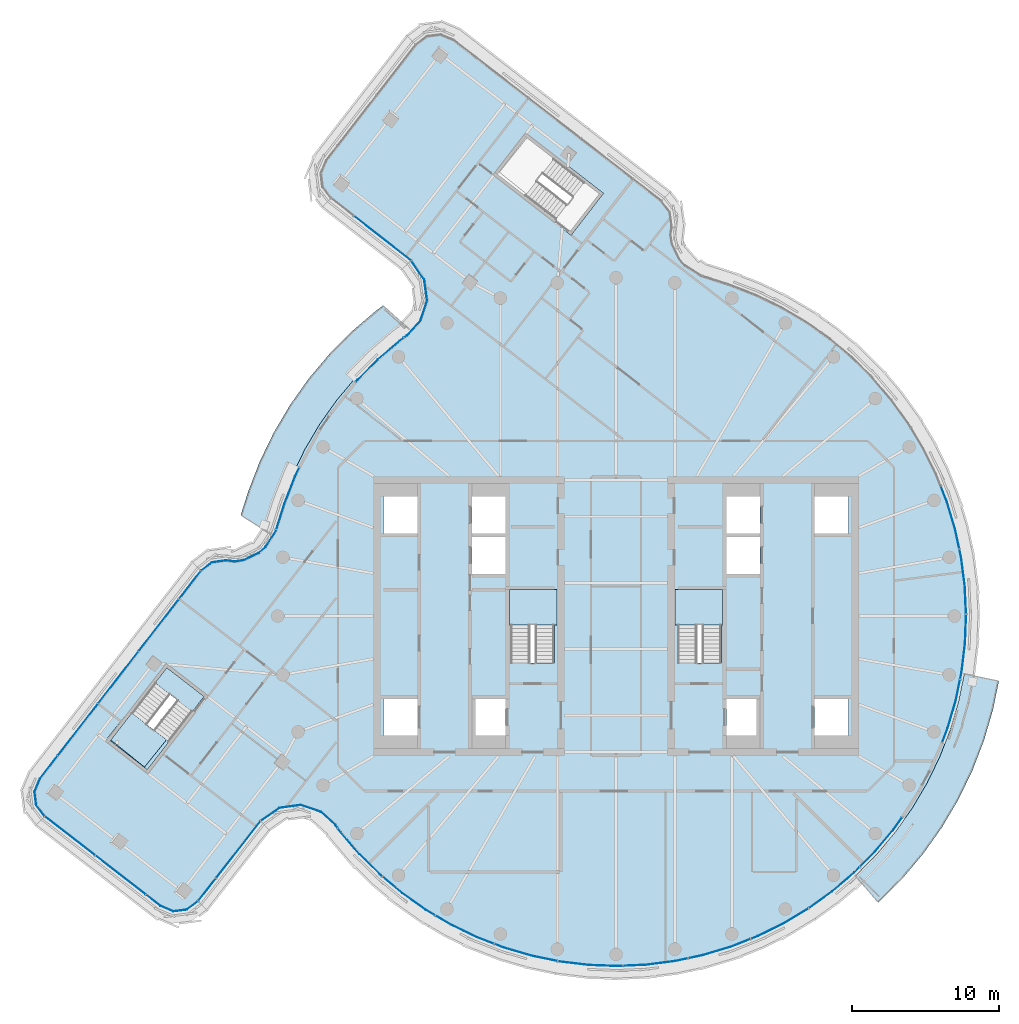
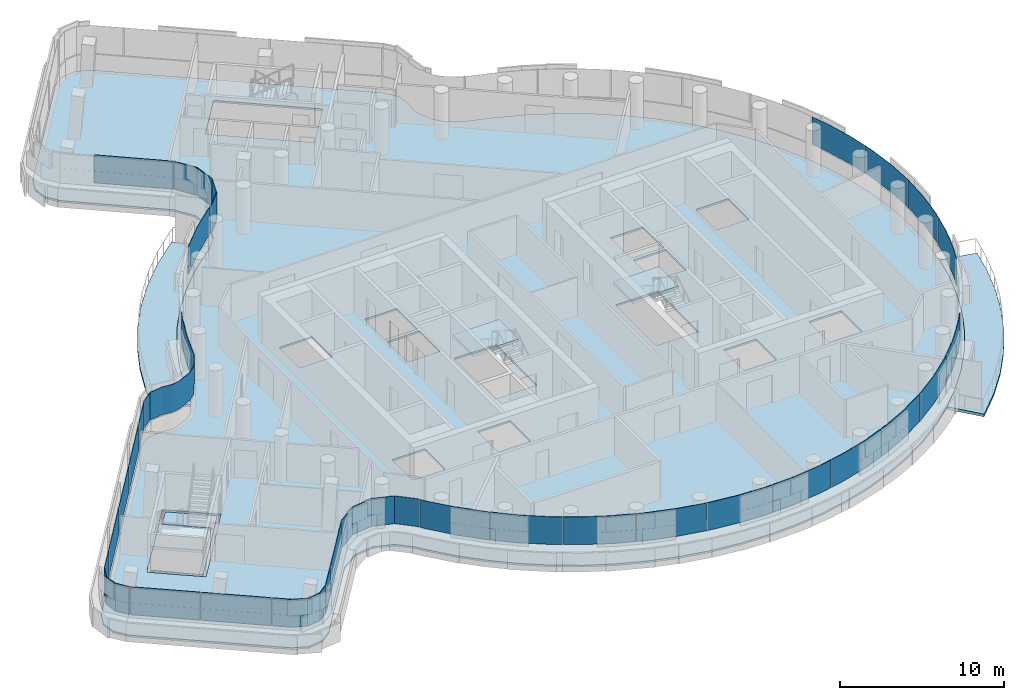
# One storey, part 15 of 26: 30 plates, 7 slabs, 9 elements without a shape of their own.
"""IFC4 building model written with IfcOpenShell, lengths in metres."""

from ifc_helpers import new_model, si_unit, direction, frame, origin, place, context, subcontext, project, spatial, polyline, outline, extrude, material, layer, layer_set, type_object, element, aggregate, save


model = new_model("IFC4")

# Units and contexts
model_context = context("Model", 3, precision=1e-05, world=origin(), true_north=direction((0.0, 1.0)))
body_context = subcontext(model_context, "Body", "Model", "MODEL_VIEW")
ifc_project = project(units=[si_unit("LENGTHUNIT", "METRE"), si_unit("AREAUNIT", "SQUARE_METRE"), si_unit("VOLUMEUNIT", "CUBIC_METRE"), si_unit("PLANEANGLEUNIT", "RADIAN"), si_unit("MASSUNIT", "GRAM", prefix="KILO")], contexts=[model_context])

# Site, building, storey
site_placement = place(None, origin())
site = spatial("IfcSite", under=ifc_project, at=site_placement, CompositionType="ELEMENT")
building_placement = place(site_placement, origin())
building = spatial("IfcBuilding", under=site, at=building_placement, Name="Tamarind Cross Interchange Tower", CompositionType="ELEMENT")
storey_placement = place(building_placement, frame((0.0, 0.0, 223.5)))
storey = spatial("IfcBuildingStorey", under=building, at=storey_placement, Name="L56", CompositionType="ELEMENT", Elevation=223.5)

# Slabs
ifc_material_1 = material(Name="Precast concrete C40", Category="concrete")
ifc_layer_1 = layer(ifc_material_1, 0.199951171875)
ifc_layer_set_1 = layer_set([ifc_layer_1], Name="Precast concrete C40")
slab_type_1 = type_object("IfcSlabType", Name="Balcony slab", PredefinedType="BASESLAB", material=ifc_layer_set_1)
slab_1_placement = place(storey_placement, frame((0.0, 0.0, -0.199951171875)))
element("IfcSlab", 1, at=slab_1_placement, inside=storey, type_object=slab_type_1, Name="SLB-L56-BAL02", PredefinedType="BASESLAB", context=body_context, shape_type="SweptSolid", body=[
    extrude(outline(polyline([(16.260986328125, -17.641357421875), (16.327880859375, -17.584228515625), (17.72412109375, -16.17578125), (18.99951171875, -14.656982421875), (20.14501953125, -13.0380859375), (21.15283203125, -11.329833984375), (22.01611328125, -9.54443359375), (22.72900390625, -7.69384765625), (23.286865234375, -5.79052734375), (23.666015625, -3.9423828125), (26.01708984375, -4.4248046875), (25.617919921875, -6.3701171875), (25.00439453125, -8.4638671875), (24.219970703125, -10.499755859375), (23.270263671875, -12.464111328125), (22.161376953125, -14.343017578125), (20.9013671875, -16.124267578125), (19.498291015625, -17.795166015625), (17.96240234375, -19.344482421875), (17.820068359375, -19.466064453125), (16.260986328125, -17.641357421875)])), origin(), (0.0, 0.0, 1.0), 0.199951171875),
])
slab_2_placement = place(storey_placement, frame((0.0, 0.0, -0.199951171875)))
element("IfcSlab", 2, at=slab_2_placement, inside=storey, type_object=slab_type_1, Name="SLB-L56-BAL06", PredefinedType="BASESLAB", context=body_context, shape_type="SweptSolid", body=[
    extrude(outline(polyline([(-14.079345703125, 19.51171875), (-14.33984375, 19.225830078125), (-14.820068359375, 18.87255859375), (-16.327880859375, 17.584228515625), (-17.72412109375, 16.17578125), (-18.99951171875, 14.656982421875), (-20.14501953125, 13.0380859375), (-21.15283203125, 11.329833984375), (-22.01611328125, 9.54443359375), (-22.72900390625, 7.69384765625), (-23.3154296875, 5.859619140625), (-23.492431640625, 5.583251953125), (-25.51416015625, 6.87646484375), (-25.506103515625, 6.88916015625), (-24.993896484375, 8.4912109375), (-24.219970703125, 10.499755859375), (-23.270263671875, 12.464111328125), (-22.161376953125, 14.343017578125), (-20.9013671875, 16.124267578125), (-19.498291015625, 17.795166015625), (-17.96240234375, 19.344482421875), (-16.312744140625, 20.75390625), (-15.95361328125, 21.01806640625), (-15.852783203125, 21.128662109375), (-14.079345703125, 19.51171875)])), origin(), (0.0, 0.0, 1.0), 0.199951171875),
])
ifc_material_2 = material(Name="Concrete C35", Category="concrete")
ifc_layer_2 = layer(ifc_material_2, 0.139892578125)
ifc_layer_set_2 = layer_set([ifc_layer_2], Name="Concrete C35")
slab_type_2 = type_object("IfcSlabType", Name="Composite slab 140 Concrete C35", PredefinedType="FLOOR", material=ifc_layer_set_2)
slab_3_placement = place(storey_placement, frame((0.0, 0.0, -0.139892578125)))
element("IfcSlab", 3, at=slab_3_placement, inside=storey, type_object=slab_type_2, Name="Floor slab L56", PredefinedType="FLOOR", context=body_context, shape_type="SweptSolid", body=[
    extrude(outline(polyline([(-27.552978515625, 3.839111328125), (-28.360595703125, 3.219482421875), (-39.334228515625, -10.9482421875), (-39.73486328125, -11.90283203125), (-39.6044921875, -12.929931640625), (-38.977783203125, -13.754150390625), (-31.072021484375, -19.877685546875), (-30.117431640625, -20.2783203125), (-29.09033203125, -20.147705078125), (-28.26611328125, -19.521240234375), (-24.01611328125, -14.078125), (-22.80078125, -13.232421875), (-21.4501953125, -13.04736328125), (-20.159912109375, -13.48828125), (-19.225830078125, -14.33984375), (-18.87255859375, -14.820068359375), (-17.584228515625, -16.327880859375), (-16.17578125, -17.72412109375), (-14.656982421875, -18.99951171875), (-13.0380859375, -20.14501953125), (-11.329833984375, -21.15283203125), (-9.54443359375, -22.01611328125), (-7.693603515625, -22.72900390625), (-5.79052734375, -23.286865234375), (-3.84765625, -23.685546875), (-1.878662109375, -23.92236328125), (0.103271484375, -23.99560546875), (2.08447265625, -23.9052734375), (4.051513671875, -23.651611328125), (5.99072265625, -23.236083984375), (7.88916015625, -22.662109375), (9.7333984375, -21.93310546875), (11.511474609375, -21.054443359375), (13.2109375, -20.031982421875), (14.820068359375, -18.87255859375), (16.327880859375, -17.584228515625), (17.72412109375, -16.17578125), (18.99951171875, -14.656982421875), (20.14501953125, -13.0380859375), (21.15283203125, -11.329833984375), (22.01611328125, -9.54443359375), (22.72900390625, -7.693603515625), (23.286865234375, -5.79052734375), (23.685546875, -3.84765625), (23.92236328125, -1.878662109375), (23.99560546875, 0.103271484375), (23.9052734375, 2.08447265625), (23.651611328125, 4.051513671875), (23.236083984375, 5.99072265625), (22.662109375, 7.88916015625), (21.93310546875, 9.7333984375), (21.054443359375, 11.511474609375), (20.031982421875, 13.2109375), (18.87255859375, 14.820068359375), (17.584228515625, 16.327880859375), (16.17578125, 17.72412109375), (14.656982421875, 18.99951171875), (13.0380859375, 20.14501953125), (11.329833984375, 21.15283203125), (9.54443359375, 22.01611328125), (7.693603515625, 22.72900390625), (5.859619140625, 23.3154296875), (4.819091796875, 23.981201171875), (4.46142578125, 24.387451171875), (3.99365234375, 25.3759765625), (3.906005859375, 25.91015625), (3.981201171875, 26.544921875), (3.839111328125, 27.552978515625), (3.219482421875, 28.360595703125), (-10.9482421875, 39.334228515625), (-11.90283203125, 39.73486328125), (-12.929931640625, 39.6044921875), (-13.754150390625, 38.977783203125), (-19.877685546875, 31.072021484375), (-20.2783203125, 30.117431640625), (-20.147705078125, 29.09033203125), (-19.521240234375, 28.26611328125), (-14.078125, 24.01611328125), (-13.232421875, 22.80078125), (-13.04736328125, 21.4501953125), (-13.48828125, 20.159912109375), (-14.33984375, 19.225830078125), (-14.820068359375, 18.87255859375), (-16.327880859375, 17.584228515625), (-17.72412109375, 16.17578125), (-18.99951171875, 14.656982421875), (-20.14501953125, 13.0380859375), (-21.15283203125, 11.329833984375), (-22.01611328125, 9.54443359375), (-22.72900390625, 7.693603515625), (-23.3154296875, 5.859619140625), (-23.981201171875, 4.819091796875), (-24.387451171875, 4.46142578125), (-25.3759765625, 3.99365234375), (-25.91015625, 3.906005859375), (-26.544921875, 3.981201171875), (-27.552978515625, 3.839111328125)]), holes=[polyline([(-31.827880859375, -10.728515625), (-31.986083984375, -10.606201171875), (-34.515869140625, -8.646484375), (-34.673828125, -8.524169921875), (-34.499267578125, -8.298583984375), (-34.546142578125, -8.260986328125), (-32.484619140625, -5.697509765625), (-30.5712890625, -3.227294921875), (-30.4130859375, -3.349609375), (-27.88330078125, -5.30908203125), (-27.72509765625, -5.431640625), (-31.827880859375, -10.728515625)]), polyline([(-13.5, -8.125), (-15.800048828125, -8.125), (-15.800048828125, -5.625), (-13.5, -5.625), (-13.5, -8.125)]), polyline([(-7.5, -8.125), (-9.800048828125, -8.125), (-9.800048828125, -5.625), (-7.5, -5.625), (-7.5, -8.125)]), polyline([(-7.5, 2.875), (-9.800048828125, 2.875), (-9.800048828125, 5.375), (-7.5, 5.375), (-7.5, 2.875)]), polyline([(-13.5, 8.125), (-13.5, 5.625), (-15.800048828125, 5.625), (-15.800048828125, 8.125), (-13.5, 8.125)]), polyline([(-7.5, 5.625), (-9.800048828125, 5.625), (-9.800048828125, 8.125), (-7.5, 8.125), (-7.5, 5.625)]), polyline([(-3.06005859375, 25.887939453125), (-8.35693359375, 29.99072265625), (-8.234375, 30.14892578125), (-6.27490234375, 32.6787109375), (-6.15234375, 32.8369140625), (-5.926513671875, 32.662109375), (-5.923095703125, 32.666015625), (-5.697509765625, 32.484619140625), (-0.85546875, 28.734130859375), (-0.97802734375, 28.575927734375), (-2.9375, 26.046142578125), (-3.06005859375, 25.887939453125)]), polyline([(7.5, -8.125), (7.5, -5.625), (9.800048828125, -5.625), (9.800048828125, -8.125), (7.5, -8.125)]), polyline([(13.5, -8.125), (13.5, -5.625), (15.800048828125, -5.625), (15.800048828125, -8.125), (13.5, -8.125)]), polyline([(-7.14990234375, 1.800048828125), (-4.199951171875, 1.800048828125), (-4.199951171875, -3.18798828125), (-7.14990234375, -3.18798828125), (-7.14990234375, 1.800048828125)]), polyline([(7.14990234375, 1.800048828125), (7.14990234375, -3.18798828125), (4.199951171875, -3.18798828125), (4.199951171875, 1.800048828125), (7.14990234375, 1.800048828125)]), polyline([(7.5, 5.375), (9.800048828125, 5.375), (9.800048828125, 2.875), (7.5, 2.875), (7.5, 5.375)]), polyline([(7.5, 5.625), (7.5, 8.125), (9.800048828125, 8.125), (9.800048828125, 5.625), (7.5, 5.625)]), polyline([(13.5, 8.125), (15.800048828125, 8.125), (15.800048828125, 5.625), (13.5, 5.625), (13.5, 8.125)])]), origin(), (0.0, 0.0, 1.0), 0.139892578125),
])
slab_4_placement = place(storey_placement, frame((0.0, 0.0, -0.139892578125)))
element("IfcSlab", 4, at=slab_4_placement, inside=storey, type_object=slab_type_2, Name="Floor slab L56", PredefinedType="FLOOR", context=body_context, shape_type="SweptSolid", body=[
    extrude(outline(polyline([(-28.005615234375, -5.46728515625), (-30.535400390625, -3.5078125), (-31.3388671875, -4.545166015625), (-28.943603515625, -6.400390625), (-32.052490234375, -10.266357421875), (-34.343505859375, -8.424072265625), (-34.393310546875, -8.488525390625), (-31.863525390625, -10.447998046875), (-28.005615234375, -5.46728515625)])), origin(), (0.0, 0.0, 1.0), 0.139892578125),
])

# Stair, slab
ifc_material_3 = material(Name="Exit stair")
stair_type = type_object("IfcStairType", Name="Exit stair", PredefinedType="HALF_TURN_STAIR", material=ifc_material_3)
stair_1_placement = place(storey_placement, origin())
stair_1 = element("IfcStair", 5, at=stair_1_placement, inside=storey, type_object=stair_type, Name="L56 exit stair ST1", PredefinedType="HALF_TURN_STAIR")
ifc_material_4 = material(Name="Concrete C40", Category="concrete")
ifc_layer_3 = layer(ifc_material_4, 0.199951171875)
ifc_layer_set_3 = layer_set([ifc_layer_3], Name="Concrete C40")
slab_type_3 = type_object("IfcSlabType", Name="Stair landing", PredefinedType="LANDING", material=ifc_layer_set_3)
slab_5_placement = place(storey_placement, frame((0.0, 0.0, 1.60009765625)))
slab_5 = element("IfcSlab", 6, at=slab_5_placement, type_object=slab_type_3, Name="ST1 landing 1", PredefinedType="LANDING", context=body_context, shape_type="SweptSolid", body=[
    extrude(outline(polyline([(-4.0, -0.60009765625), (-4.0, 1.800048828125), (-7.25, 1.800048828125), (-7.25, -0.60009765625), (-4.0, -0.60009765625)])), origin(), (0.0, 0.0, 1.0), 0.199951171875),
])
aggregate(stair_1, [slab_5])

stair_2_placement = place(storey_placement, origin())
stair_2 = element("IfcStair", 7, at=stair_2_placement, inside=storey, type_object=stair_type, Name="L56 exit stair ST2", PredefinedType="HALF_TURN_STAIR")
slab_6_placement = place(storey_placement, frame((0.0, 0.0, 1.60009765625)))
slab_6 = element("IfcSlab", 8, at=slab_6_placement, type_object=slab_type_3, Name="ST2 landing 1", PredefinedType="LANDING", context=body_context, shape_type="SweptSolid", body=[
    extrude(outline(polyline([(7.25, -0.60009765625), (7.25, 1.800048828125), (4.0, 1.800048828125), (4.0, -0.60009765625), (7.25, -0.60009765625)])), origin(), (0.0, 0.0, 1.0), 0.199951171875),
])
aggregate(stair_2, [slab_6])

stair_3_placement = place(storey_placement, origin())
stair_3 = element("IfcStair", 9, at=stair_3_placement, inside=storey, type_object=stair_type, Name="L56 exit stair ST5", PredefinedType="HALF_TURN_STAIR")
slab_7_placement = place(storey_placement, frame((0.0, 0.0, 1.60009765625)))
slab_7 = element("IfcSlab", 10, at=slab_7_placement, type_object=slab_type_3, Name="ST5 landing 1", PredefinedType="LANDING", context=body_context, shape_type="SweptSolid", body=[
    extrude(outline(polyline([(-32.916259765625, -6.58154296875), (-34.393310546875, -8.488525390625), (-31.863525390625, -10.447998046875), (-30.386474609375, -8.541259765625), (-32.916259765625, -6.58154296875)])), origin(), (0.0, 0.0, 1.0), 0.199951171875),
])
aggregate(stair_3, [slab_7])

# Curtain wall, plates
ifc_material_5 = material(Name="Aluminium 6063-T6", Category="aluminium")
ifc_layer_4 = layer(ifc_material_5, 0.139892578125)
ifc_layer_set_4 = layer_set([ifc_layer_4], Name="Aluminium 6063-T6")
curtain_wall_type = type_object("IfcCurtainWallType", Name="Hotel curtain wall, 4.5 m bays", PredefinedType="NOTDEFINED", material=ifc_layer_set_4)
curtain_wall_1_placement = place(storey_placement, origin())
curtain_wall_1 = element("IfcCurtainWall", 11, at=curtain_wall_1_placement, inside=storey, type_object=curtain_wall_type, Name="CWS-L56-00", PredefinedType="NOTDEFINED")
ifc_material_6 = material(Name="Laminated low-e glass 6+1.52+6", Category="glass")
ifc_layer_5 = layer(ifc_material_6, 0.02392578125)
ifc_layer_set_5 = layer_set([ifc_layer_5], Name="Laminated low-e glass 6+1.52+6")
plate_type = type_object("IfcPlateType", Name="Vision panel CW2", PredefinedType="CURTAIN_PANEL", material=ifc_layer_set_5)
plate_1_placement = place(storey_placement, frame((0.0, 0.0, 1.39990234375)))
plate_1 = element("IfcPlate", 12, at=plate_1_placement, type_object=plate_type, Name="CWP-L56-00-00", PredefinedType="CURTAIN_PANEL", context=body_context, shape_type="SweptSolid", body=[
    extrude(outline(polyline([(-38.803466796875, -13.62109375), (-35.415283203125, -16.245361328125), (-35.43017578125, -16.264404296875), (-38.818115234375, -13.639892578125), (-38.803466796875, -13.62109375)])), origin(), (0.0, 0.0, 1.0), 2.06005859375),
])
plate_2_placement = place(storey_placement, frame((0.0, 0.0, 1.39990234375)))
plate_2 = element("IfcPlate", 13, at=plate_2_placement, type_object=plate_type, Name="CWP-L56-00-01", PredefinedType="CURTAIN_PANEL", context=body_context, shape_type="SweptSolid", body=[
    extrude(outline(polyline([(-35.367919921875, -16.281982421875), (-31.979736328125, -18.906494140625), (-31.99462890625, -18.92529296875), (-35.382568359375, -16.301025390625), (-35.367919921875, -16.281982421875)])), origin(), (0.0, 0.0, 1.0), 2.06005859375),
])
plate_3_placement = place(storey_placement, frame((0.0, 0.0, 1.39990234375)))
plate_3 = element("IfcPlate", 14, at=plate_3_placement, type_object=plate_type, Name="CWP-L56-00-02", PredefinedType="CURTAIN_PANEL", context=body_context, shape_type="SweptSolid", body=[
    extrude(outline(polyline([(-31.932373046875, -18.943115234375), (-30.96435546875, -19.69287109375), (-30.087646484375, -20.060791015625), (-29.17333984375, -19.944580078125), (-28.43896484375, -19.38623046875), (-28.424560546875, -19.405517578125), (-29.1640625, -19.967529296875), (-30.091064453125, -20.08544921875), (-30.9765625, -19.7138671875), (-31.947021484375, -18.962158203125), (-31.932373046875, -18.943115234375)])), origin(), (0.0, 0.0, 1.0), 2.06005859375),
])
aggregate(curtain_wall_1, [plate_1, plate_2, plate_3])

curtain_wall_2_placement = place(storey_placement, origin())
curtain_wall_2 = element("IfcCurtainWall", 15, at=curtain_wall_2_placement, inside=storey, type_object=curtain_wall_type, Name="CWS-L56-01", PredefinedType="NOTDEFINED")
plate_4_placement = place(storey_placement, frame((0.0, 0.0, 1.39990234375)))
plate_4 = element("IfcPlate", 16, at=plate_4_placement, type_object=plate_type, Name="CWP-L56-01-00", PredefinedType="CURTAIN_PANEL", context=body_context, shape_type="SweptSolid", body=[
    extrude(outline(polyline([(-28.39892578125, -19.3466796875), (-27.222412109375, -17.840087890625), (-27.20361328125, -17.85498046875), (-28.3798828125, -19.361328125), (-28.39892578125, -19.3466796875)])), origin(), (0.0, 0.0, 1.0), 2.06005859375),
])
plate_5_placement = place(storey_placement, frame((0.0, 0.0, 1.39990234375)))
plate_5 = element("IfcPlate", 17, at=plate_5_placement, type_object=plate_type, Name="CWP-L56-01-01", PredefinedType="CURTAIN_PANEL", context=body_context, shape_type="SweptSolid", body=[
    extrude(outline(polyline([(-27.185546875, -17.792724609375), (-24.18310546875, -13.947509765625), (-24.1640625, -13.962158203125), (-27.166748046875, -17.8076171875), (-27.185546875, -17.792724609375)])), origin(), (0.0, 0.0, 1.0), 2.06005859375),
])
aggregate(curtain_wall_2, [plate_4, plate_5])

curtain_wall_3_placement = place(storey_placement, origin())
curtain_wall_3 = element("IfcCurtainWall", 18, at=curtain_wall_3_placement, inside=storey, type_object=curtain_wall_type, Name="CWS-L56-02", PredefinedType="NOTDEFINED")
plate_6_placement = place(storey_placement, frame((0.0, 0.0, 1.39990234375)))
plate_6 = element("IfcPlate", 19, at=plate_6_placement, type_object=plate_type, Name="CWP-L56-02-00", PredefinedType="CURTAIN_PANEL", context=body_context, shape_type="SweptSolid", body=[
    extrude(outline(polyline([(-24.137451171875, -13.904296875), (-22.880126953125, -13.029296875), (-21.42919921875, -12.830322265625), (-20.0498046875, -13.302001953125), (-19.0673828125, -14.197509765625), (-18.92724609375, -14.387939453125), (-18.946533203125, -14.402099609375), (-19.08544921875, -14.213623046875), (-20.062255859375, -13.322998046875), (-21.431396484375, -12.85498046875), (-22.871337890625, -13.05224609375), (-24.123779296875, -13.923828125), (-24.137451171875, -13.904296875)])), origin(), (0.0, 0.0, 1.0), 2.06005859375),
])
plate_7_placement = place(storey_placement, frame((0.0, 0.0, 1.39990234375)))
plate_7 = element("IfcPlate", 20, at=plate_7_placement, type_object=plate_type, Name="CWP-L56-02-01", PredefinedType="CURTAIN_PANEL", context=body_context, shape_type="SweptSolid", body=[
    extrude(outline(polyline([(-18.891845703125, -14.436279296875), (-18.706298828125, -14.688232421875), (-17.4287109375, -16.183349609375), (-16.032958984375, -17.5673828125), (-15.903076171875, -17.676513671875), (-15.91845703125, -17.69482421875), (-16.049072265625, -17.585205078125), (-17.4462890625, -16.19970703125), (-18.72509765625, -14.703125), (-18.9111328125, -14.450439453125), (-18.891845703125, -14.436279296875)])), origin(), (0.0, 0.0, 1.0), 2.06005859375),
])
plate_8_placement = place(storey_placement, frame((0.0, 0.0, 1.39990234375)))
plate_8 = element("IfcPlate", 21, at=plate_8_placement, type_object=plate_type, Name="CWP-L56-02-02", PredefinedType="CURTAIN_PANEL", context=body_context, shape_type="SweptSolid", body=[
    extrude(outline(polyline([(-15.85693359375, -17.715087890625), (-14.52734375, -18.83154296875), (-12.922607421875, -19.966796875), (-12.317138671875, -20.32421875), (-12.329345703125, -20.3447265625), (-12.935791015625, -19.987060546875), (-14.5419921875, -18.850341796875), (-15.87255859375, -17.7333984375), (-15.85693359375, -17.715087890625)])), origin(), (0.0, 0.0, 1.0), 2.06005859375),
])
plate_9_placement = place(storey_placement, frame((0.0, 0.0, 1.39990234375)))
plate_9 = element("IfcPlate", 22, at=plate_9_placement, type_object=plate_type, Name="CWP-L56-02-03", PredefinedType="CURTAIN_PANEL", context=body_context, shape_type="SweptSolid", body=[
    extrude(outline(polyline([(-12.265380859375, -20.3544921875), (-11.229736328125, -20.9658203125), (-9.4599609375, -21.821533203125), (-8.3056640625, -22.26611328125), (-8.314208984375, -22.28857421875), (-9.469482421875, -21.843505859375), (-11.240966796875, -20.98681640625), (-12.277587890625, -20.375244140625), (-12.265380859375, -20.3544921875)])), origin(), (0.0, 0.0, 1.0), 2.06005859375),
])
plate_10_placement = place(storey_placement, frame((0.0, 0.0, 1.39990234375)))
plate_10 = element("IfcPlate", 23, at=plate_10_placement, type_object=plate_type, Name="CWP-L56-02-04", PredefinedType="CURTAIN_PANEL", context=body_context, shape_type="SweptSolid", body=[
    extrude(outline(polyline([(-8.249755859375, -22.287841796875), (-7.625732421875, -22.528076171875), (-5.7392578125, -23.080810546875), (-4.0048828125, -23.436767578125), (-4.009765625, -23.460205078125), (-5.7451171875, -23.104248046875), (-7.63330078125, -22.55078125), (-8.25830078125, -22.31005859375), (-8.249755859375, -22.287841796875)])), origin(), (0.0, 0.0, 1.0), 2.06005859375),
])
plate_11_placement = place(storey_placement, frame((0.0, 0.0, 1.39990234375)))
plate_11 = element("IfcPlate", 24, at=plate_11_placement, type_object=plate_type, Name="CWP-L56-02-05", PredefinedType="CURTAIN_PANEL", context=body_context, shape_type="SweptSolid", body=[
    extrude(outline(polyline([(-3.946044921875, -23.448974609375), (-3.813720703125, -23.47607421875), (-1.862060546875, -23.710693359375), (0.102294921875, -23.783447265625), (0.43896484375, -23.76806640625), (0.440185546875, -23.792236328125), (0.1025390625, -23.8076171875), (-1.864013671875, -23.734619140625), (-3.817626953125, -23.499755859375), (-3.950927734375, -23.472412109375), (-3.946044921875, -23.448974609375)])), origin(), (0.0, 0.0, 1.0), 2.06005859375),
])
plate_12_placement = place(storey_placement, frame((0.0, 0.0, 1.39990234375)))
plate_12 = element("IfcPlate", 25, at=plate_12_placement, type_object=plate_type, Name="CWP-L56-02-06", PredefinedType="CURTAIN_PANEL", context=body_context, shape_type="SweptSolid", body=[
    extrude(outline(polyline([(0.4990234375, -23.765380859375), (2.06591796875, -23.69384765625), (4.015625, -23.4423828125), (4.866943359375, -23.260009765625), (4.8720703125, -23.283447265625), (4.019775390625, -23.466064453125), (2.068115234375, -23.7177734375), (0.5, -23.789306640625), (0.4990234375, -23.765380859375)])), origin(), (0.0, 0.0, 1.0), 2.06005859375),
])
plate_13_placement = place(storey_placement, frame((0.0, 0.0, 1.39990234375)))
plate_13 = element("IfcPlate", 26, at=plate_13_placement, type_object=plate_type, Name="CWP-L56-02-07", PredefinedType="CURTAIN_PANEL", context=body_context, shape_type="SweptSolid", body=[
    extrude(outline(polyline([(4.92578125, -23.247314453125), (5.937744140625, -23.03076171875), (7.8193359375, -22.461669921875), (9.12548828125, -21.945556640625), (9.13427734375, -21.9677734375), (7.8271484375, -22.484375), (5.94384765625, -23.053955078125), (4.9306640625, -23.270751953125), (4.92578125, -23.247314453125)])), origin(), (0.0, 0.0, 1.0), 2.06005859375),
])
plate_14_placement = place(storey_placement, frame((0.0, 0.0, 1.39990234375)))
plate_14 = element("IfcPlate", 27, at=plate_14_placement, type_object=plate_type, Name="CWP-L56-02-08", PredefinedType="CURTAIN_PANEL", context=body_context, shape_type="SweptSolid", body=[
    extrude(outline(polyline([(9.181396484375, -21.92333984375), (9.6474609375, -21.7392578125), (11.40966796875, -20.868408203125), (13.070068359375, -19.869140625), (13.08251953125, -19.889892578125), (11.421142578125, -20.889404296875), (9.6572265625, -21.76123046875), (9.190185546875, -21.94580078125), (9.181396484375, -21.92333984375)])), origin(), (0.0, 0.0, 1.0), 2.06005859375),
])
plate_15_placement = place(storey_placement, frame((0.0, 0.0, 1.39990234375)))
plate_15 = element("IfcPlate", 28, at=plate_15_placement, type_object=plate_type, Name="CWP-L56-02-09", PredefinedType="CURTAIN_PANEL", context=body_context, shape_type="SweptSolid", body=[
    extrude(outline(polyline([(13.119140625, -19.836669921875), (14.68896484375, -18.705810546875), (16.183349609375, -17.4287109375), (16.538818359375, -17.070556640625), (16.5556640625, -17.08740234375), (16.19970703125, -17.4462890625), (14.703857421875, -18.724609375), (13.13330078125, -19.856201171875), (13.119140625, -19.836669921875)])), origin(), (0.0, 0.0, 1.0), 2.06005859375),
])
plate_16_placement = place(storey_placement, frame((0.0, 0.0, 1.39990234375)))
plate_16 = element("IfcPlate", 29, at=plate_16_placement, type_object=plate_type, Name="CWP-L56-02-10", PredefinedType="CURTAIN_PANEL", context=body_context, shape_type="SweptSolid", body=[
    extrude(outline(polyline([(16.5810546875, -17.02783203125), (17.5673828125, -16.032958984375), (18.83154296875, -14.52734375), (19.43115234375, -13.6796875), (19.45068359375, -13.693603515625), (18.850341796875, -14.5419921875), (17.585205078125, -16.049072265625), (16.597900390625, -17.044677734375), (16.5810546875, -17.02783203125)])), origin(), (0.0, 0.0, 1.0), 2.06005859375),
])
plate_17_placement = place(storey_placement, frame((0.0, 0.0, 1.39990234375)))
plate_17 = element("IfcPlate", 30, at=plate_17_placement, type_object=plate_type, Name="CWP-L56-02-12", PredefinedType="CURTAIN_PANEL", context=body_context, shape_type="SweptSolid", body=[
    extrude(outline(polyline([(22.166015625, -8.5654296875), (22.528076171875, -7.625732421875), (23.080810546875, -5.7392578125), (23.368896484375, -4.336181640625), (23.392333984375, -4.341064453125), (23.104248046875, -5.7451171875), (22.55078125, -7.63330078125), (22.1884765625, -8.57421875), (22.166015625, -8.5654296875)])), origin(), (0.0, 0.0, 1.0), 2.06005859375),
])
plate_18_placement = place(storey_placement, frame((0.0, 0.0, 1.39990234375)))
plate_18 = element("IfcPlate", 31, at=plate_18_placement, type_object=plate_type, Name="CWP-L56-02-13", PredefinedType="CURTAIN_PANEL", context=body_context, shape_type="SweptSolid", body=[
    extrude(outline(polyline([(23.380859375, -4.277587890625), (23.47607421875, -3.813720703125), (23.710693359375, -1.862060546875), (23.783447265625, 0.10205078125), (23.8076171875, 0.101318359375), (23.734619140625, -1.864013671875), (23.499755859375, -3.817626953125), (23.404296875, -4.2822265625), (23.380859375, -4.277587890625)])), origin(), (0.0, 0.0, 1.0), 2.06005859375),
])
plate_19_placement = place(storey_placement, frame((0.0, 0.0, 1.39990234375)))
plate_19 = element("IfcPlate", 32, at=plate_19_placement, type_object=plate_type, Name="CWP-L56-02-14", PredefinedType="CURTAIN_PANEL", context=body_context, shape_type="SweptSolid", body=[
    extrude(outline(polyline([(23.78076171875, 0.1611328125), (23.69384765625, 2.06591796875), (23.4423828125, 4.015625), (23.330810546875, 4.5361328125), (23.354248046875, 4.541015625), (23.466064453125, 4.019775390625), (23.7177734375, 2.068115234375), (23.804931640625, 0.162109375), (23.78076171875, 0.1611328125)])), origin(), (0.0, 0.0, 1.0), 2.06005859375),
])
plate_20_placement = place(storey_placement, frame((0.0, 0.0, 1.39990234375)))
plate_20 = element("IfcPlate", 33, at=plate_20_placement, type_object=plate_type, Name="CWP-L56-02-15", PredefinedType="CURTAIN_PANEL", context=body_context, shape_type="SweptSolid", body=[
    extrude(outline(polyline([(23.318359375, 4.5947265625), (23.03076171875, 5.937744140625), (22.461669921875, 7.8193359375), (22.06982421875, 8.810791015625), (22.09228515625, 8.819580078125), (22.484375, 7.8271484375), (23.053955078125, 5.94384765625), (23.341796875, 4.599853515625), (23.318359375, 4.5947265625)])), origin(), (0.0, 0.0, 1.0), 2.06005859375),
])
aggregate(curtain_wall_3, [plate_6, plate_7, plate_8, plate_9, plate_10, plate_11, plate_12, plate_13, plate_14, plate_15, plate_16, plate_17, plate_18, plate_19, plate_20])

# Curtain wall, plate
curtain_wall_4_placement = place(storey_placement, origin())
curtain_wall_4 = element("IfcCurtainWall", 34, at=curtain_wall_4_placement, inside=storey, type_object=curtain_wall_type, Name="CWS-L56-05", PredefinedType="NOTDEFINED")
plate_21_placement = place(storey_placement, frame((0.0, 0.0, 1.39990234375)))
plate_21 = element("IfcPlate", 35, at=plate_21_placement, type_object=plate_type, Name="CWP-L56-05-01", PredefinedType="CURTAIN_PANEL", context=body_context, shape_type="SweptSolid", body=[
    extrude(outline(polyline([(-17.792724609375, 27.185546875), (-13.947509765625, 24.18310546875), (-13.962158203125, 24.1640625), (-17.8076171875, 27.166748046875), (-17.792724609375, 27.185546875)])), origin(), (0.0, 0.0, 1.0), 2.06005859375),
])
aggregate(curtain_wall_4, [plate_21])

# Curtain wall, plates
curtain_wall_5_placement = place(storey_placement, origin())
curtain_wall_5 = element("IfcCurtainWall", 36, at=curtain_wall_5_placement, inside=storey, type_object=curtain_wall_type, Name="CWS-L56-06", PredefinedType="NOTDEFINED")
plate_22_placement = place(storey_placement, frame((0.0, 0.0, 1.39990234375)))
plate_22 = element("IfcPlate", 37, at=plate_22_placement, type_object=plate_type, Name="CWP-L56-06-00", PredefinedType="CURTAIN_PANEL", context=body_context, shape_type="SweptSolid", body=[
    extrude(outline(polyline([(-13.904296875, 24.137451171875), (-13.029296875, 22.880126953125), (-12.830322265625, 21.42919921875), (-13.302001953125, 20.0498046875), (-14.197509765625, 19.0673828125), (-14.387939453125, 18.92724609375), (-14.402099609375, 18.946533203125), (-14.213623046875, 19.08544921875), (-13.322998046875, 20.062255859375), (-12.85498046875, 21.431396484375), (-13.05224609375, 22.871337890625), (-13.923828125, 24.123779296875), (-13.904296875, 24.137451171875)])), origin(), (0.0, 0.0, 1.0), 2.06005859375),
])
plate_23_placement = place(storey_placement, frame((0.0, 0.0, 1.39990234375)))
plate_23 = element("IfcPlate", 38, at=plate_23_placement, type_object=plate_type, Name="CWP-L56-06-01", PredefinedType="CURTAIN_PANEL", context=body_context, shape_type="SweptSolid", body=[
    extrude(outline(polyline([(-14.436279296875, 18.891845703125), (-14.688232421875, 18.706298828125), (-16.183349609375, 17.4287109375), (-17.5673828125, 16.032958984375), (-17.676513671875, 15.903076171875), (-17.69482421875, 15.91845703125), (-17.585205078125, 16.049072265625), (-16.19970703125, 17.4462890625), (-14.703125, 18.72509765625), (-14.450439453125, 18.9111328125), (-14.436279296875, 18.891845703125)])), origin(), (0.0, 0.0, 1.0), 2.06005859375),
])
plate_24_placement = place(storey_placement, frame((0.0, 0.0, 1.39990234375)))
plate_24 = element("IfcPlate", 39, at=plate_24_placement, type_object=plate_type, Name="CWP-L56-06-03", PredefinedType="CURTAIN_PANEL", context=body_context, shape_type="SweptSolid", body=[
    extrude(outline(polyline([(-21.52880859375, 10.065185546875), (-21.821533203125, 9.4599609375), (-22.529052734375, 7.623291015625), (-23.07763671875, 5.907470703125), (-23.1005859375, 5.914794921875), (-22.5517578125, 7.63134765625), (-21.843505859375, 9.469482421875), (-21.550537109375, 10.075439453125), (-21.52880859375, 10.065185546875)])), origin(), (0.0, 0.0, 1.0), 2.06005859375),
])
plate_25_placement = place(storey_placement, frame((0.0, 0.0, 1.39990234375)))
plate_25 = element("IfcPlate", 40, at=plate_25_placement, type_object=plate_type, Name="CWP-L56-06-04", PredefinedType="CURTAIN_PANEL", context=body_context, shape_type="SweptSolid", body=[
    extrude(outline(polyline([(-23.095947265625, 5.850341796875), (-23.1220703125, 5.768798828125), (-23.818603515625, 4.679931640625), (-24.269775390625, 4.28271484375), (-25.312255859375, 3.789306640625), (-25.9052734375, 3.692138671875), (-26.54248046875, 3.767333984375), (-27.468017578125, 3.636962890625), (-28.18701171875, 3.08544921875), (-28.20166015625, 3.1044921875), (-27.477783203125, 3.659912109375), (-26.542724609375, 3.79150390625), (-25.90576171875, 3.71630859375), (-25.3193359375, 3.8125), (-24.282958984375, 4.302978515625), (-23.8369140625, 4.695556640625), (-23.143798828125, 5.779052734375), (-23.11865234375, 5.857666015625), (-23.095947265625, 5.850341796875)])), origin(), (0.0, 0.0, 1.0), 2.06005859375),
])
aggregate(curtain_wall_5, [plate_22, plate_23, plate_24, plate_25])

curtain_wall_6_placement = place(storey_placement, origin())
curtain_wall_6 = element("IfcCurtainWall", 41, at=curtain_wall_6_placement, inside=storey, type_object=curtain_wall_type, Name="CWS-L56-07", PredefinedType="NOTDEFINED")
plate_26_placement = place(storey_placement, frame((0.0, 0.0, 1.39990234375)))
plate_26 = element("IfcPlate", 42, at=plate_26_placement, type_object=plate_type, Name="CWP-L56-07-00", PredefinedType="CURTAIN_PANEL", context=body_context, shape_type="SweptSolid", body=[
    extrude(outline(polyline([(-28.22705078125, 3.045654296875), (-29.6865234375, 1.161376953125), (-29.70556640625, 1.176025390625), (-28.24609375, 3.060302734375), (-28.22705078125, 3.045654296875)])), origin(), (0.0, 0.0, 1.0), 2.06005859375),
])
plate_27_placement = place(storey_placement, frame((0.0, 0.0, 1.39990234375)))
plate_27 = element("IfcPlate", 43, at=plate_27_placement, type_object=plate_type, Name="CWP-L56-07-01", PredefinedType="CURTAIN_PANEL", context=body_context, shape_type="SweptSolid", body=[
    extrude(outline(polyline([(-29.72314453125, 1.114013671875), (-32.43408203125, -2.385986328125), (-32.453125, -2.37109375), (-29.7421875, 1.128662109375), (-29.72314453125, 1.114013671875)])), origin(), (0.0, 0.0, 1.0), 2.06005859375),
])
plate_28_placement = place(storey_placement, frame((0.0, 0.0, 1.39990234375)))
plate_28 = element("IfcPlate", 44, at=plate_28_placement, type_object=plate_type, Name="CWP-L56-07-02", PredefinedType="CURTAIN_PANEL", context=body_context, shape_type="SweptSolid", body=[
    extrude(outline(polyline([(-32.470703125, -2.433349609375), (-35.181640625, -5.93310546875), (-35.20068359375, -5.91845703125), (-32.48974609375, -2.418701171875), (-32.470703125, -2.433349609375)])), origin(), (0.0, 0.0, 1.0), 2.06005859375),
])
plate_29_placement = place(storey_placement, frame((0.0, 0.0, 1.39990234375)))
plate_29 = element("IfcPlate", 45, at=plate_29_placement, type_object=plate_type, Name="CWP-L56-07-03", PredefinedType="CURTAIN_PANEL", context=body_context, shape_type="SweptSolid", body=[
    extrude(outline(polyline([(-35.218505859375, -5.98046875), (-37.92919921875, -9.48046875), (-37.9482421875, -9.465576171875), (-35.2373046875, -5.9658203125), (-35.218505859375, -5.98046875)])), origin(), (0.0, 0.0, 1.0), 2.06005859375),
])
plate_30_placement = place(storey_placement, frame((0.0, 0.0, 1.39990234375)))
plate_30 = element("IfcPlate", 46, at=plate_30_placement, type_object=plate_type, Name="CWP-L56-07-04", PredefinedType="CURTAIN_PANEL", context=body_context, shape_type="SweptSolid", body=[
    extrude(outline(polyline([(-37.966064453125, -9.52783203125), (-39.149658203125, -11.055908203125), (-39.517333984375, -11.9326171875), (-39.401123046875, -12.846923828125), (-38.84326171875, -13.5810546875), (-38.8623046875, -13.595458984375), (-39.42431640625, -12.856201171875), (-39.5419921875, -11.92919921875), (-39.170654296875, -11.043701171875), (-37.98486328125, -9.51318359375), (-37.966064453125, -9.52783203125)])), origin(), (0.0, 0.0, 1.0), 2.06005859375),
])
aggregate(curtain_wall_6, [plate_26, plate_27, plate_28, plate_29, plate_30])

save(model, "model.ifc")
